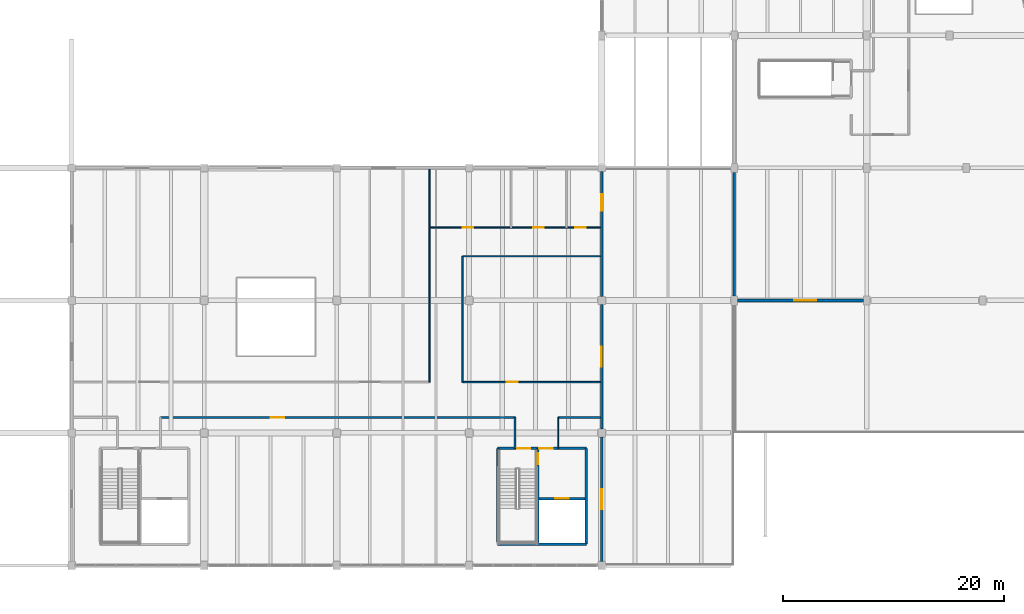
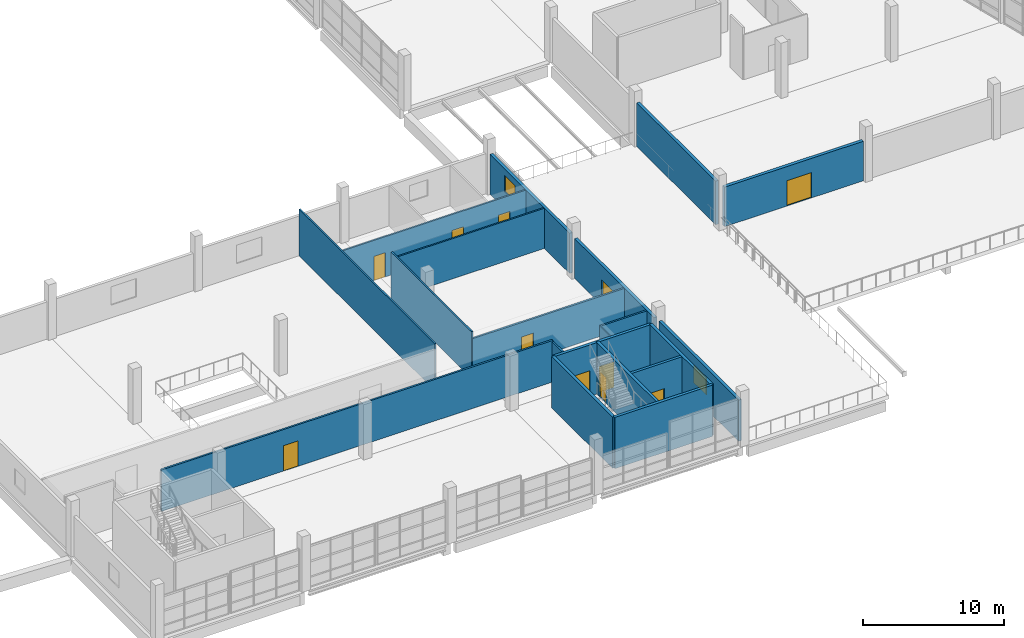
# One storey, part 41 of 49: 20 walls, 11 doors, 2 windows, 13 openings.
"""IFC4 building model written with IfcOpenShell, lengths in metres."""

from ifc_helpers import new_model, si_unit, direction, frame, frame_2d, origin, place, context, subcontext, project, spatial, rectangle, extrude, material, layer, layer_set, type_object, element, fill, save


model = new_model("IFC4")

# Units and contexts
model_context = context("Model", 3, precision=1e-05, world=origin(), true_north=direction((0.0, 1.0)))
body_context = subcontext(model_context, "Body", "Model", "MODEL_VIEW")
ifc_project = project(units=[si_unit("LENGTHUNIT", "METRE"), si_unit("AREAUNIT", "SQUARE_METRE"), si_unit("VOLUMEUNIT", "CUBIC_METRE"), si_unit("PLANEANGLEUNIT", "RADIAN"), si_unit("MASSUNIT", "GRAM", prefix="KILO")], contexts=[model_context])

# Site, building, storey
site_placement = place(None, origin())
site = spatial("IfcSite", under=ifc_project, at=site_placement, CompositionType="ELEMENT")
building_placement = place(site_placement, origin())
building = spatial("IfcBuilding", under=site, at=building_placement, Name="Kamomehara Wholesale Market", CompositionType="ELEMENT")
storey_placement = place(building_placement, frame((0.0, 0.0, 11.39990234375)))
storey = spatial("IfcBuildingStorey", under=building, at=storey_placement, Name="L02", CompositionType="ELEMENT", Elevation=11.39990234375)

# Wall, opening, window
ifc_material_1 = material(Name="Precast concrete Fc45 (C40/50)", Category="concrete")
ifc_layer_1 = layer(ifc_material_1, 0.239990234375)
ifc_layer_set_1 = layer_set([ifc_layer_1], Name="Precast concrete Fc45 (C40/50)")
wall_type_1 = type_object("IfcWallType", Name="EW-PC-240", PredefinedType="SOLIDWALL", material=ifc_layer_set_1)
wall_1_placement = place(storey_placement, frame((156.0, 23.64990234375, 0.0), z_axis=(0.0, 0.0, 1.0), x_axis=(0.0, -1.0, 0.0)))
wall_1 = element("IfcWall", 1, at=wall_1_placement, inside=storey, type_object=wall_type_1, Name="Exterior wall EW-PC-240 112", PredefinedType="SOLIDWALL", context=body_context, shape_type="SweptSolid", body=[
    extrude(rectangle(XDim=11.2998046875, YDim=0.239990234375, at=frame_2d((5.64990234375, 0.0))), origin(), (0.0, 0.0, 1.0), 3.578125),
])
opening_1_placement = place(wall_1_placement, frame((4.75, 0.0, 1.10009765625)))
opening_1 = element("IfcOpeningElement", 2, at=opening_1_placement, cuts=wall_1, Name="Opening WN-L02-029", PredefinedType="OPENING", context=body_context, shape_type="SweptSolid", body=[
    extrude(rectangle(XDim=1.800048828125, YDim=1.5, at=frame_2d((0.89990234375, 0.75))), frame((0.0, 0.134765625, 0.0), z_axis=(0.0, -1.0, 0.0), x_axis=(1.0, 0.0, 0.0)), (0.0, 0.0, 1.0), 0.269775390625),
])
ifc_material_2 = material(Name="Solar-control Low-E double glazing", Category="glass")
window_type_1 = type_object("IfcWindowType", Name="WIN-1800x1500", PartitioningType="SINGLE_PANEL", PredefinedType="WINDOW", material=ifc_material_2)
window_1_placement = place(opening_1_placement, origin())
window_1 = element("IfcWindow", 3, at=window_1_placement, inside=storey, type_object=window_type_1, Name="Exterior window WN-L02-029", OverallHeight=1.5, OverallWidth=1.800048828125, PartitioningType="SINGLE_PANEL", PredefinedType="WINDOW", context=body_context, shape_type="SweptSolid", body=[
    extrude(rectangle(XDim=1.800048828125, YDim=1.5, at=frame_2d((0.89990234375, 0.75))), frame((0.0, 0.030029296875, 0.0), z_axis=(0.0, -1.0, 0.0), x_axis=(1.0, 0.0, 0.0)), (0.0, 0.0, 1.0), 0.06005859375),
])
fill(opening_1, window_1)

# Wall, opening, door
wall_2_placement = place(storey_placement, frame((156.0, 35.64990234375, 0.0), z_axis=(0.0, 0.0, 1.0), x_axis=(0.0, -1.0, 0.0)))
wall_2 = element("IfcWall", 4, at=wall_2_placement, inside=storey, type_object=wall_type_1, Name="Exterior wall EW-PC-240 113", PredefinedType="SOLIDWALL", context=body_context, shape_type="SweptSolid", body=[
    extrude(rectangle(XDim=11.2998046875, YDim=0.239990234375, at=frame_2d((5.64990234375, 0.0))), origin(), (0.0, 0.0, 1.0), 3.4580078125),
])
opening_2_placement = place(wall_2_placement, frame((3.85009765625, 0.0, 0.0)))
opening_2 = element("IfcOpeningElement", 5, at=opening_2_placement, cuts=wall_2, Name="Opening TD-L02-01", PredefinedType="OPENING", context=body_context, shape_type="SweptSolid", body=[
    extrude(rectangle(XDim=1.800048828125, YDim=2.199951171875, at=frame_2d((0.89990234375, 1.10009765625))), frame((0.0, 0.134765625, 0.0), z_axis=(0.0, -1.0, 0.0), x_axis=(1.0, 0.0, 0.0)), (0.0, 0.0, 1.0), 0.269775390625),
])
ifc_material_3 = material(Name="Anodised aluminium 6063-T5", Category="aluminium")
door_type_1 = type_object("IfcDoorType", Name="EDR-1800x2200", OperationType="NOTDEFINED", PredefinedType="DOOR", material=ifc_material_3)
door_1_placement = place(opening_2_placement, origin())
door_1 = element("IfcDoor", 6, at=door_1_placement, inside=storey, type_object=door_type_1, Name="Terrace 2 canteen door TD-L02-01", OperationType="SINGLE_SWING_RIGHT", OverallHeight=2.199951171875, OverallWidth=1.800048828125, PredefinedType="DOOR", context=body_context, shape_type="SweptSolid", body=[
    extrude(rectangle(XDim=1.800048828125, YDim=2.199951171875, at=frame_2d((0.89990234375, 1.10009765625))), frame((0.0, 0.02490234375, 0.0), z_axis=(0.0, -1.0, 0.0), x_axis=(1.0, 0.0, 0.0)), (0.0, 0.0, 1.0), 0.050048828125),
])
fill(opening_2, door_1)

# Wall, opening, window
wall_3_placement = place(storey_placement, frame((156.0, 47.675048828125, 0.0), z_axis=(0.0, 0.0, 1.0), x_axis=(0.0, -1.0, 0.0)))
wall_3 = element("IfcWall", 7, at=wall_3_placement, inside=storey, type_object=wall_type_1, Name="Exterior wall EW-PC-240 114", PredefinedType="SOLIDWALL", context=body_context, shape_type="SweptSolid", body=[
    extrude(rectangle(XDim=11.324951171875, YDim=0.239990234375, at=frame_2d((5.66259765625, 0.0))), origin(), (0.0, 0.0, 1.0), 3.483154296875),
])
opening_3_placement = place(wall_3_placement, frame((2.074951171875, 0.0, 1.5)))
opening_3 = element("IfcOpeningElement", 8, at=opening_3_placement, cuts=wall_3, Name="Opening WN-L02-030", PredefinedType="OPENING", context=body_context, shape_type="SweptSolid", body=[
    extrude(rectangle(XDim=1.5, YDim=1.39990234375, at=frame_2d((0.75, 0.699951171875))), frame((0.0, 0.134765625, 0.0), z_axis=(0.0, -1.0, 0.0), x_axis=(1.0, 0.0, 0.0)), (0.0, 0.0, 1.0), 0.269775390625),
])
ifc_material_4 = material(Name="Solar-control Low-E double glazing", Category="glass")
window_type_2 = type_object("IfcWindowType", Name="WIN-1500x1400", PartitioningType="SINGLE_PANEL", PredefinedType="WINDOW", material=ifc_material_4)
window_2_placement = place(opening_3_placement, origin())
window_2 = element("IfcWindow", 9, at=window_2_placement, inside=storey, type_object=window_type_2, Name="Exterior window WN-L02-030", OverallHeight=1.39990234375, OverallWidth=1.5, PartitioningType="SINGLE_PANEL", PredefinedType="WINDOW", context=body_context, shape_type="SweptSolid", body=[
    extrude(rectangle(XDim=1.5, YDim=1.39990234375, at=frame_2d((0.75, 0.699951171875))), frame((0.0, 0.030029296875, 0.0), z_axis=(0.0, -1.0, 0.0), x_axis=(1.0, 0.0, 0.0)), (0.0, 0.0, 1.0), 0.06005859375),
])
fill(opening_3, window_2)

# Wall
wall_4_placement = place(storey_placement, frame((168.0, 36.39990234375, 0.0), z_axis=(0.0, 0.0, 1.0), x_axis=(0.0, 1.0, 0.0)))
element("IfcWall", 10, at=wall_4_placement, inside=storey, type_object=wall_type_1, Name="Exterior wall EW-PC-240 136", PredefinedType="SOLIDWALL", context=body_context, shape_type="SweptSolid", body=[
    extrude(rectangle(XDim=11.2001953125, YDim=0.239990234375, at=frame_2d((5.60009765625, 0.0))), origin(), (0.0, 0.0, 1.0), 3.780029296875),
])

# Wall, opening, door
ifc_material_5 = material(Name="Precast concrete Fc45 (C40/50)", Category="concrete")
ifc_layer_2 = layer(ifc_material_5, 0.260009765625)
ifc_layer_set_2 = layer_set([ifc_layer_2], Name="Precast concrete Fc45 (C40/50)")
wall_type_2 = type_object("IfcWallType", Name="EW-PC-260", PredefinedType="SOLIDWALL", material=ifc_layer_set_2)
wall_5_placement = place(storey_placement, frame((179.699951171875, 36.0, 0.0), z_axis=(0.0, 0.0, 1.0), x_axis=(-1.0, 0.0, 0.0)))
wall_5 = element("IfcWall", 11, at=wall_5_placement, inside=storey, type_object=wall_type_2, Name="Exterior wall EW-PC-260 133", PredefinedType="SOLIDWALL", context=body_context, shape_type="SweptSolid", body=[
    extrude(rectangle(XDim=11.39990234375, YDim=0.260009765625, at=frame_2d((5.699951171875, 0.0))), origin(), (0.0, 0.0, 1.0), 3.43017578125),
])
opening_4_placement = place(wall_5_placement, frame((4.25, 0.0, 0.0)))
opening_4 = element("IfcOpeningElement", 12, at=opening_4_placement, cuts=wall_5, Name="Opening TD-L02-V2168", PredefinedType="OPENING", context=body_context, shape_type="SweptSolid", body=[
    extrude(rectangle(XDim=2.0, YDim=2.199951171875, at=frame_2d((1.0, 1.10009765625))), frame((0.0, 0.14501953125, 0.0), z_axis=(0.0, -1.0, 0.0), x_axis=(1.0, 0.0, 0.0)), (0.0, 0.0, 1.0), 0.289794921875),
])
ifc_material_6 = material(Name="Anodised aluminium 6063-T5", Category="aluminium")
door_type_2 = type_object("IfcDoorType", Name="EDR-2000x2200", OperationType="NOTDEFINED", PredefinedType="DOOR", material=ifc_material_6)
door_2_placement = place(opening_4_placement, origin())
door_2 = element("IfcDoor", 13, at=door_2_placement, inside=storey, type_object=door_type_2, Name="Public viewing roof deck door TD-L02-V2168", OperationType="SINGLE_SWING_LEFT", OverallHeight=2.199951171875, OverallWidth=2.0, PredefinedType="DOOR", context=body_context, shape_type="SweptSolid", body=[
    extrude(rectangle(XDim=2.0, YDim=2.199951171875, at=frame_2d((1.0, 1.10009765625))), frame((0.0, 0.02490234375, 0.0), z_axis=(0.0, -1.0, 0.0), x_axis=(1.0, 0.0, 0.0)), (0.0, 0.0, 1.0), 0.050048828125),
])
fill(opening_4, door_2)

# Walls
ifc_material_7 = material(Name="Gypsum board partition")
ifc_layer_3 = layer(ifc_material_7, 0.10009765625)
ifc_layer_set_3 = layer_set([ifc_layer_3], Name="Gypsum board partition")
wall_type_3 = type_object("IfcWallType", Name="IW-PRT-100", PredefinedType="PARTITIONING", material=ifc_layer_set_3)
wall_6_placement = place(storey_placement, frame((152.050048828125, 22.60009765625, 0.0), z_axis=(0.0, 0.0, 1.0), x_axis=(0.0, 1.0, 0.0)))
element("IfcWall", 14, at=wall_6_placement, inside=storey, type_object=wall_type_3, Name="Interior wall IW-PRT-100 358", PredefinedType="PARTITIONING", context=body_context, shape_type="SweptSolid", body=[
    extrude(rectangle(XDim=2.7998046875, YDim=0.10009765625, at=frame_2d((1.39990234375, 0.0))), origin(), (0.0, 0.0, 1.0), 3.483154296875),
])
ifc_material_8 = material(Name="Gypsum board partition")
ifc_layer_4 = layer(ifc_material_8, 0.125)
ifc_layer_set_4 = layer_set([ifc_layer_4], Name="Gypsum board partition")
wall_type_4 = type_object("IfcWallType", Name="IW-PRT-125", PredefinedType="PARTITIONING", material=ifc_layer_set_4)
wall_7_placement = place(storey_placement, frame((140.39990234375, 28.60009765625, 0.0), z_axis=(0.0, 0.0, 1.0), x_axis=(0.0, 1.0, 0.0)))
element("IfcWall", 15, at=wall_7_placement, inside=storey, type_object=wall_type_4, Name="Interior wall IW-PRT-125 362", PredefinedType="PARTITIONING", context=body_context, shape_type="SweptSolid", body=[
    extrude(rectangle(XDim=19.27978515625, YDim=0.125, at=frame_2d((9.639892578125, 0.0))), origin(), (0.0, 0.0, 1.0), 4.048095703125),
])
wall_8_placement = place(storey_placement, frame((143.39990234375, 28.60009765625, 0.0), z_axis=(0.0, 0.0, 1.0), x_axis=(0.0, 1.0, 0.0)))
element("IfcWall", 16, at=wall_8_placement, inside=storey, type_object=wall_type_4, Name="Interior wall IW-PRT-125 363", PredefinedType="PARTITIONING", context=body_context, shape_type="SweptSolid", body=[
    extrude(rectangle(XDim=11.39990234375, YDim=0.125, at=frame_2d((5.699951171875, 0.0))), origin(), (0.0, 0.0, 1.0), 4.048095703125),
])
wall_9_placement = place(storey_placement, frame((143.39990234375, 40.0, 0.0), z_axis=(0.0, 0.0, 1.0), x_axis=(1.0, 0.0, 0.0)))
element("IfcWall", 17, at=wall_9_placement, inside=storey, type_object=wall_type_4, Name="Interior wall IW-PRT-125 364", PredefinedType="PARTITIONING", context=body_context, shape_type="SweptSolid", body=[
    extrude(rectangle(XDim=12.47998046875, YDim=0.125, at=frame_2d((6.239990234375, 0.0))), origin(), (0.0, 0.0, 1.0), 3.488037109375),
])

# Wall, openings, doors
wall_10_placement = place(storey_placement, frame((140.39990234375, 42.60009765625, 0.0), z_axis=(0.0, 0.0, 1.0), x_axis=(1.0, 0.0, 0.0)))
wall_10 = element("IfcWall", 18, at=wall_10_placement, inside=storey, type_object=wall_type_4, Name="Interior wall IW-PRT-125 365", PredefinedType="PARTITIONING", context=body_context, shape_type="SweptSolid", body=[
    extrude(rectangle(XDim=15.47998046875, YDim=0.125, at=frame_2d((7.739990234375, 0.0))), origin(), (0.0, 0.0, 1.0), 3.488037109375),
])
opening_5_placement = place(wall_10_placement, frame((3.0, 0.0, 0.0)))
opening_5 = element("IfcOpeningElement", 19, at=opening_5_placement, cuts=wall_10, Name="Opening ID-L02-225", PredefinedType="OPENING", context=body_context, shape_type="SweptSolid", body=[
    extrude(rectangle(XDim=0.949951171875, YDim=2.10009765625, at=frame_2d((0.47509765625, 1.050048828125))), frame((0.0, 0.077392578125, 0.0), z_axis=(0.0, -1.0, 0.0), x_axis=(1.0, 0.0, 0.0)), (0.0, 0.0, 1.0), 0.15478515625),
])
opening_6_placement = place(wall_10_placement, frame((9.39990234375, 0.0, 0.0)))
opening_6 = element("IfcOpeningElement", 20, at=opening_6_placement, cuts=wall_10, Name="Opening ID-L02-226", PredefinedType="OPENING", context=body_context, shape_type="SweptSolid", body=[
    extrude(rectangle(XDim=0.949951171875, YDim=2.10009765625, at=frame_2d((0.47509765625, 1.050048828125))), frame((0.0, 0.077392578125, 0.0), z_axis=(0.0, -1.0, 0.0), x_axis=(1.0, 0.0, 0.0)), (0.0, 0.0, 1.0), 0.15478515625),
])
opening_7_placement = place(wall_10_placement, frame((13.199951171875, 0.0, 0.0)))
opening_7 = element("IfcOpeningElement", 21, at=opening_7_placement, cuts=wall_10, Name="Opening ID-L02-227", PredefinedType="OPENING", context=body_context, shape_type="SweptSolid", body=[
    extrude(rectangle(XDim=0.949951171875, YDim=2.10009765625, at=frame_2d((0.47509765625, 1.050048828125))), frame((0.0, 0.077392578125, 0.0), z_axis=(0.0, -1.0, 0.0), x_axis=(1.0, 0.0, 0.0)), (0.0, 0.0, 1.0), 0.15478515625),
])
ifc_material_9 = material(Name="Anodised aluminium 6063-T5", Category="aluminium")
door_type_3 = type_object("IfcDoorType", Name="IDR-WC-950x2100", OperationType="NOTDEFINED", PredefinedType="DOOR", material=ifc_material_9)
door_3_placement = place(opening_5_placement, origin())
door_3 = element("IfcDoor", 22, at=door_3_placement, inside=storey, type_object=door_type_3, Name="Interior door ID-L02-225", OperationType="SINGLE_SWING_LEFT", OverallHeight=2.10009765625, OverallWidth=0.949951171875, PredefinedType="DOOR", context=body_context, shape_type="SweptSolid", body=[
    extrude(rectangle(XDim=0.949951171875, YDim=2.10009765625, at=frame_2d((0.47509765625, 1.050048828125))), frame((0.0, 0.02490234375, 0.0), z_axis=(0.0, -1.0, 0.0), x_axis=(1.0, 0.0, 0.0)), (0.0, 0.0, 1.0), 0.050048828125),
])
fill(opening_5, door_3)
door_4_placement = place(opening_6_placement, origin())
door_4 = element("IfcDoor", 23, at=door_4_placement, inside=storey, type_object=door_type_3, Name="Interior door ID-L02-226", OperationType="SINGLE_SWING_RIGHT", OverallHeight=2.10009765625, OverallWidth=0.949951171875, PredefinedType="DOOR", context=body_context, shape_type="SweptSolid", body=[
    extrude(rectangle(XDim=0.949951171875, YDim=2.10009765625, at=frame_2d((0.47509765625, 1.050048828125))), frame((0.0, 0.02490234375, 0.0), z_axis=(0.0, -1.0, 0.0), x_axis=(1.0, 0.0, 0.0)), (0.0, 0.0, 1.0), 0.050048828125),
])
fill(opening_6, door_4)
door_5_placement = place(opening_7_placement, origin())
door_5 = element("IfcDoor", 24, at=door_5_placement, inside=storey, type_object=door_type_3, Name="Interior door ID-L02-227", OperationType="SINGLE_SWING_LEFT", OverallHeight=2.10009765625, OverallWidth=0.949951171875, PredefinedType="DOOR", context=body_context, shape_type="SweptSolid", body=[
    extrude(rectangle(XDim=0.949951171875, YDim=2.10009765625, at=frame_2d((0.47509765625, 1.050048828125))), frame((0.0, 0.02490234375, 0.0), z_axis=(0.0, -1.0, 0.0), x_axis=(1.0, 0.0, 0.0)), (0.0, 0.0, 1.0), 0.050048828125),
])
fill(opening_7, door_5)

# Wall, opening, door
ifc_material_10 = material(Name="Gypsum board partition")
ifc_layer_5 = layer(ifc_material_10, 0.14990234375)
ifc_layer_set_5 = layer_set([ifc_layer_5], Name="Gypsum board partition")
wall_type_5 = type_object("IfcWallType", Name="IW-PRT-150", PredefinedType="PARTITIONING", material=ifc_layer_set_5)
wall_11_placement = place(storey_placement, frame((116.050048828125, 25.39990234375, 0.0), z_axis=(0.0, 0.0, 1.0), x_axis=(1.0, 0.0, 0.0)))
wall_11 = element("IfcWall", 25, at=wall_11_placement, inside=storey, type_object=wall_type_5, Name="Interior wall IW-PRT-150 356", PredefinedType="PARTITIONING", context=body_context, shape_type="SweptSolid", body=[
    extrude(rectangle(XDim=32.099853515625, YDim=0.14990234375, at=frame_2d((16.0498046875, 0.0))), origin(), (0.0, 0.0, 1.0), 3.60302734375),
])
opening_8_placement = place(wall_11_placement, frame((10.0, 0.0, 0.0)))
opening_8 = element("IfcOpeningElement", 26, at=opening_8_placement, cuts=wall_11, Name="Opening ID-L02-221", PredefinedType="OPENING", context=body_context, shape_type="SweptSolid", body=[
    extrude(rectangle(XDim=1.199951171875, YDim=2.199951171875, at=frame_2d((0.60009765625, 1.10009765625))), frame((0.0, 0.08984375, 0.0), z_axis=(0.0, -1.0, 0.0), x_axis=(1.0, 0.0, 0.0)), (0.0, 0.0, 1.0), 0.1796875),
])
ifc_material_11 = material(Name="Steel SN400B", Category="steel")
door_type_4 = type_object("IfcDoorType", Name="IDR-FD-1200x2200", OperationType="NOTDEFINED", PredefinedType="DOOR", material=ifc_material_11)
door_6_placement = place(opening_8_placement, origin())
door_6 = element("IfcDoor", 27, at=door_6_placement, inside=storey, type_object=door_type_4, Name="Interior door ID-L02-221", OperationType="SINGLE_SWING_LEFT", OverallHeight=2.199951171875, OverallWidth=1.199951171875, PredefinedType="DOOR", context=body_context, shape_type="SweptSolid", body=[
    extrude(rectangle(XDim=1.199951171875, YDim=2.199951171875, at=frame_2d((0.60009765625, 1.10009765625))), frame((0.0, 0.02490234375, 0.0), z_axis=(0.0, -1.0, 0.0), x_axis=(1.0, 0.0, 0.0)), (0.0, 0.0, 1.0), 0.050048828125),
])
fill(opening_8, door_6)

# Walls
wall_12_placement = place(storey_placement, frame((148.14990234375, 22.60009765625, 0.0), z_axis=(0.0, 0.0, 1.0), x_axis=(0.0, 1.0, 0.0)))
element("IfcWall", 28, at=wall_12_placement, inside=storey, type_object=wall_type_5, Name="Interior wall IW-PRT-150 357", PredefinedType="PARTITIONING", context=body_context, shape_type="SweptSolid", body=[
    extrude(rectangle(XDim=2.7998046875, YDim=0.14990234375, at=frame_2d((1.39990234375, 0.0))), origin(), (0.0, 0.0, 1.0), 3.483154296875),
])
wall_13_placement = place(storey_placement, frame((152.050048828125, 25.39990234375, 0.0), z_axis=(0.0, 0.0, 1.0), x_axis=(1.0, 0.0, 0.0)))
element("IfcWall", 29, at=wall_13_placement, inside=storey, type_object=wall_type_5, Name="Interior wall IW-PRT-150 359", PredefinedType="PARTITIONING", context=body_context, shape_type="SweptSolid", body=[
    extrude(rectangle(XDim=3.829833984375, YDim=0.14990234375, at=frame_2d((1.9150390625, 0.0))), origin(), (0.0, 0.0, 1.0), 3.463134765625),
])

# Wall, opening, door
wall_14_placement = place(storey_placement, frame((143.39990234375, 28.60009765625, 0.0), z_axis=(0.0, 0.0, 1.0), x_axis=(1.0, 0.0, 0.0)))
wall_14 = element("IfcWall", 30, at=wall_14_placement, inside=storey, type_object=wall_type_5, Name="Interior wall IW-PRT-150 361", PredefinedType="PARTITIONING", context=body_context, shape_type="SweptSolid", body=[
    extrude(rectangle(XDim=12.47998046875, YDim=0.14990234375, at=frame_2d((6.239990234375, 0.0))), origin(), (0.0, 0.0, 1.0), 3.463134765625),
])
opening_9_placement = place(wall_14_placement, frame((4.0, 0.0, 0.0)))
opening_9 = element("IfcOpeningElement", 31, at=opening_9_placement, cuts=wall_14, Name="Opening ID-L02-224", PredefinedType="OPENING", context=body_context, shape_type="SweptSolid", body=[
    extrude(rectangle(XDim=1.0, YDim=2.199951171875, at=frame_2d((0.5, 1.10009765625))), frame((0.0, 0.08984375, 0.0), z_axis=(0.0, -1.0, 0.0), x_axis=(1.0, 0.0, 0.0)), (0.0, 0.0, 1.0), 0.1796875),
])
ifc_material_12 = material(Name="Anodised aluminium 6063-T5", Category="aluminium")
door_type_5 = type_object("IfcDoorType", Name="IDR-RM-1000x2200", OperationType="NOTDEFINED", PredefinedType="DOOR", material=ifc_material_12)
door_7_placement = place(opening_9_placement, origin())
door_7 = element("IfcDoor", 32, at=door_7_placement, inside=storey, type_object=door_type_5, Name="Interior door ID-L02-224", OperationType="SINGLE_SWING_RIGHT", OverallHeight=2.199951171875, OverallWidth=1.0, PredefinedType="DOOR", context=body_context, shape_type="SweptSolid", body=[
    extrude(rectangle(XDim=1.0, YDim=2.199951171875, at=frame_2d((0.5, 1.10009765625))), frame((0.0, 0.02490234375, 0.0), z_axis=(0.0, -1.0, 0.0), x_axis=(1.0, 0.0, 0.0)), (0.0, 0.0, 1.0), 0.050048828125),
])
fill(opening_9, door_7)

ifc_material_13 = material(Name="Concrete Fc36 (C35/45)", Category="concrete")
ifc_layer_6 = layer(ifc_material_13, 0.219970703125)
ifc_layer_set_6 = layer_set([ifc_layer_6], Name="Concrete Fc36 (C35/45)")
wall_type_6 = type_object("IfcWallType", Name="IW-SHR-220", PredefinedType="SHEAR", material=ifc_layer_set_6)
wall_15_placement = place(storey_placement, frame((150.340087890625, 18.0400390625, 0.0), z_axis=(0.0, 0.0, 1.0), x_axis=(1.0, 0.0, 0.0)))
wall_15 = element("IfcWall", 33, at=wall_15_placement, inside=storey, type_object=wall_type_6, Name="Interior wall IW-SHR-220 126", PredefinedType="SHEAR", context=body_context, shape_type="SweptSolid", body=[
    extrude(rectangle(XDim=4.139892578125, YDim=0.219970703125, at=frame_2d((2.06982421875, 0.0))), origin(), (0.0, 0.0, 1.0), 4.4501953125),
])
opening_10_placement = place(wall_15_placement, frame((1.469970703125, 0.0, 0.0)))
opening_10 = element("IfcOpeningElement", 34, at=opening_10_placement, cuts=wall_15, Name="Opening LD-LP-04-L02", PredefinedType="OPENING", context=body_context, shape_type="SweptSolid", body=[
    extrude(rectangle(XDim=1.199951171875, YDim=2.199951171875, at=frame_2d((0.60009765625, 1.10009765625))), frame((0.0, 0.125, 0.0), z_axis=(0.0, -1.0, 0.0), x_axis=(1.0, 0.0, 0.0)), (0.0, 0.0, 1.0), 0.249755859375),
])
ifc_material_14 = material(Name="Steel SN400B", Category="steel")
door_type_6 = type_object("IfcDoorType", Name="LDR-PAX-1200x2200", OperationType="DOUBLE_DOOR_SLIDING", PredefinedType="DOOR", material=ifc_material_14)
door_8_placement = place(opening_10_placement, origin())
door_8 = element("IfcDoor", 35, at=door_8_placement, inside=storey, type_object=door_type_6, Name="Lift sliding landing door LD-LP-04-L02", OperationType="DOUBLE_DOOR_SLIDING", OverallHeight=2.199951171875, OverallWidth=1.199951171875, PredefinedType="DOOR", context=body_context, shape_type="SweptSolid", body=[
    extrude(rectangle(XDim=1.199951171875, YDim=2.199951171875, at=frame_2d((0.60009765625, 1.10009765625))), frame((0.0, 0.02490234375, 0.0), z_axis=(0.0, -1.0, 0.0), x_axis=(1.0, 0.0, 0.0)), (0.0, 0.0, 1.0), 0.050048828125),
])
fill(opening_10, door_8)

# Walls
ifc_material_15 = material(Name="Concrete Fc36 (C35/45)", Category="concrete")
ifc_layer_7 = layer(ifc_material_15, 0.239990234375)
ifc_layer_set_7 = layer_set([ifc_layer_7], Name="Concrete Fc36 (C35/45)")
wall_type_7 = type_object("IfcWallType", Name="IW-SHR-240", PredefinedType="SHEAR", material=ifc_layer_set_7)
wall_16_placement = place(storey_placement, frame((146.580078125, 22.60009765625, 0.0), z_axis=(0.0, 0.0, 1.0), x_axis=(0.0, -1.0, 0.0)))
element("IfcWall", 36, at=wall_16_placement, inside=storey, type_object=wall_type_7, Name="Interior wall IW-SHR-240 121", PredefinedType="SHEAR", context=body_context, shape_type="SweptSolid", body=[
    extrude(rectangle(XDim=8.670166015625, YDim=0.239990234375, at=frame_2d((4.3349609375, 0.0))), origin(), (0.0, 0.0, 1.0), 4.4501953125),
])
wall_17_placement = place(storey_placement, frame((146.580078125, 13.929931640625, 0.0), z_axis=(0.0, 0.0, 1.0), x_axis=(1.0, 0.0, 0.0)))
element("IfcWall", 37, at=wall_17_placement, inside=storey, type_object=wall_type_7, Name="Interior wall IW-SHR-240 122", PredefinedType="SHEAR", context=body_context, shape_type="SweptSolid", body=[
    extrude(rectangle(XDim=8.02001953125, YDim=0.239990234375, at=frame_2d((4.010009765625, 0.0))), origin(), (0.0, 0.0, 1.0), 4.4501953125),
])

# Wall, opening, door
wall_18_placement = place(storey_placement, frame((150.219970703125, 13.929931640625, 0.0), z_axis=(0.0, 0.0, 1.0), x_axis=(0.0, 1.0, 0.0)))
wall_18 = element("IfcWall", 38, at=wall_18_placement, inside=storey, type_object=wall_type_7, Name="Interior wall IW-SHR-240 123", PredefinedType="SHEAR", context=body_context, shape_type="SweptSolid", body=[
    extrude(rectangle(XDim=8.670166015625, YDim=0.239990234375, at=frame_2d((4.3349609375, 0.0))), origin(), (0.0, 0.0, 1.0), 4.4501953125),
])
opening_11_placement = place(wall_18_placement, frame((7.219970703125, 0.0, 0.0)))
opening_11 = element("IfcOpeningElement", 39, at=opening_11_placement, cuts=wall_18, Name="Opening FD-L02-C8I", PredefinedType="OPENING", context=body_context, shape_type="SweptSolid", body=[
    extrude(rectangle(XDim=1.0, YDim=2.199951171875, at=frame_2d((0.5, 1.10009765625))), frame((0.0, 0.134765625, 0.0), z_axis=(0.0, -1.0, 0.0), x_axis=(1.0, 0.0, 0.0)), (0.0, 0.0, 1.0), 0.269775390625),
])
door_9_placement = place(opening_11_placement, origin())
door_9 = element("IfcDoor", 40, at=door_9_placement, inside=storey, type_object=door_type_5, Name="Core lobby-stair fire door FD-L02-C8I", OperationType="SINGLE_SWING_RIGHT", OverallHeight=2.199951171875, OverallWidth=1.0, PredefinedType="DOOR", context=body_context, shape_type="SweptSolid", body=[
    extrude(rectangle(XDim=1.0, YDim=2.199951171875, at=frame_2d((0.5, 1.10009765625))), frame((0.0, 0.02490234375, 0.0), z_axis=(0.0, -1.0, 0.0), x_axis=(1.0, 0.0, 0.0)), (0.0, 0.0, 1.0), 0.050048828125),
])
fill(opening_11, door_9)

# Wall
wall_19_placement = place(storey_placement, frame((154.60009765625, 13.929931640625, 0.0), z_axis=(0.0, 0.0, 1.0), x_axis=(0.0, 1.0, 0.0)))
element("IfcWall", 41, at=wall_19_placement, inside=storey, type_object=wall_type_7, Name="Interior wall IW-SHR-240 124", PredefinedType="SHEAR", context=body_context, shape_type="SweptSolid", body=[
    extrude(rectangle(XDim=8.670166015625, YDim=0.239990234375, at=frame_2d((4.3349609375, 0.0))), origin(), (0.0, 0.0, 1.0), 4.4501953125),
])

# Wall, openings, doors
wall_20_placement = place(storey_placement, frame((146.580078125, 22.60009765625, 0.0), z_axis=(0.0, 0.0, 1.0), x_axis=(1.0, 0.0, 0.0)))
wall_20 = element("IfcWall", 42, at=wall_20_placement, inside=storey, type_object=wall_type_7, Name="Interior wall IW-SHR-240 125", PredefinedType="SHEAR", context=body_context, shape_type="SweptSolid", body=[
    extrude(rectangle(XDim=8.02001953125, YDim=0.239990234375, at=frame_2d((4.010009765625, 0.0))), origin(), (0.0, 0.0, 1.0), 4.4501953125),
])
opening_12_placement = place(wall_20_placement, frame((1.77001953125, 0.0, 0.0)))
opening_12 = element("IfcOpeningElement", 43, at=opening_12_placement, cuts=wall_20, Name="Opening FD-L02-C8S", PredefinedType="OPENING", context=body_context, shape_type="SweptSolid", body=[
    extrude(rectangle(XDim=1.199951171875, YDim=2.199951171875, at=frame_2d((0.60009765625, 1.10009765625))), frame((0.0, 0.134765625, 0.0), z_axis=(0.0, -1.0, 0.0), x_axis=(1.0, 0.0, 0.0)), (0.0, 0.0, 1.0), 0.269775390625),
])
opening_13_placement = place(wall_20_placement, frame((3.77001953125, 0.0, 0.0)))
opening_13 = element("IfcOpeningElement", 44, at=opening_13_placement, cuts=wall_20, Name="Opening FD-L02-C8L", PredefinedType="OPENING", context=body_context, shape_type="SweptSolid", body=[
    extrude(rectangle(XDim=1.199951171875, YDim=2.199951171875, at=frame_2d((0.60009765625, 1.10009765625))), frame((0.0, 0.134765625, 0.0), z_axis=(0.0, -1.0, 0.0), x_axis=(1.0, 0.0, 0.0)), (0.0, 0.0, 1.0), 0.269775390625),
])
door_10_placement = place(opening_12_placement, origin())
door_10 = element("IfcDoor", 45, at=door_10_placement, inside=storey, type_object=door_type_4, Name="Stair fire door FD-L02-C8S", OperationType="SINGLE_SWING_LEFT", OverallHeight=2.199951171875, OverallWidth=1.199951171875, PredefinedType="DOOR", context=body_context, shape_type="SweptSolid", body=[
    extrude(rectangle(XDim=1.199951171875, YDim=2.199951171875, at=frame_2d((0.60009765625, 1.10009765625))), frame((0.0, 0.02490234375, 0.0), z_axis=(0.0, -1.0, 0.0), x_axis=(1.0, 0.0, 0.0)), (0.0, 0.0, 1.0), 0.050048828125),
])
fill(opening_12, door_10)
door_11_placement = place(opening_13_placement, origin())
door_11 = element("IfcDoor", 46, at=door_11_placement, inside=storey, type_object=door_type_4, Name="Lift lobby fire door FD-L02-C8L", OperationType="SINGLE_SWING_RIGHT", OverallHeight=2.199951171875, OverallWidth=1.199951171875, PredefinedType="DOOR", context=body_context, shape_type="SweptSolid", body=[
    extrude(rectangle(XDim=1.199951171875, YDim=2.199951171875, at=frame_2d((0.60009765625, 1.10009765625))), frame((0.0, 0.02490234375, 0.0), z_axis=(0.0, -1.0, 0.0), x_axis=(1.0, 0.0, 0.0)), (0.0, 0.0, 1.0), 0.050048828125),
])
fill(opening_13, door_11)

save(model, "model.ifc")
